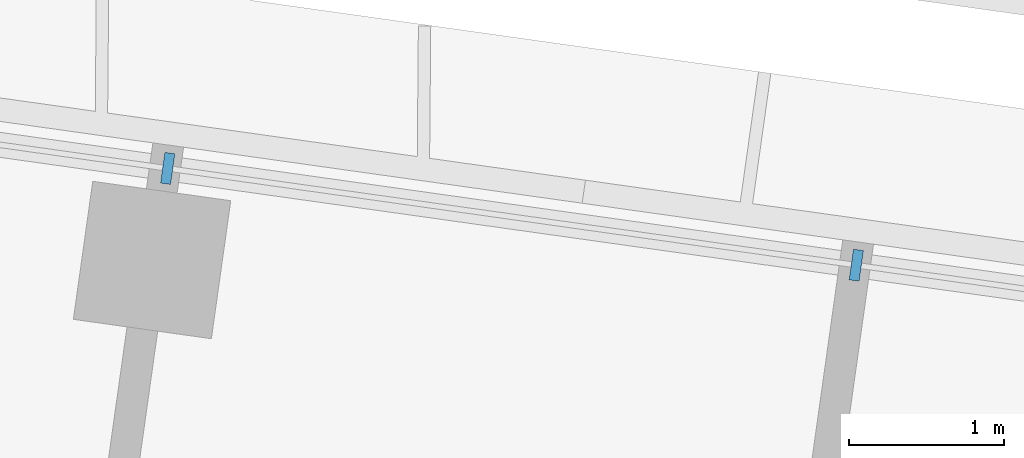
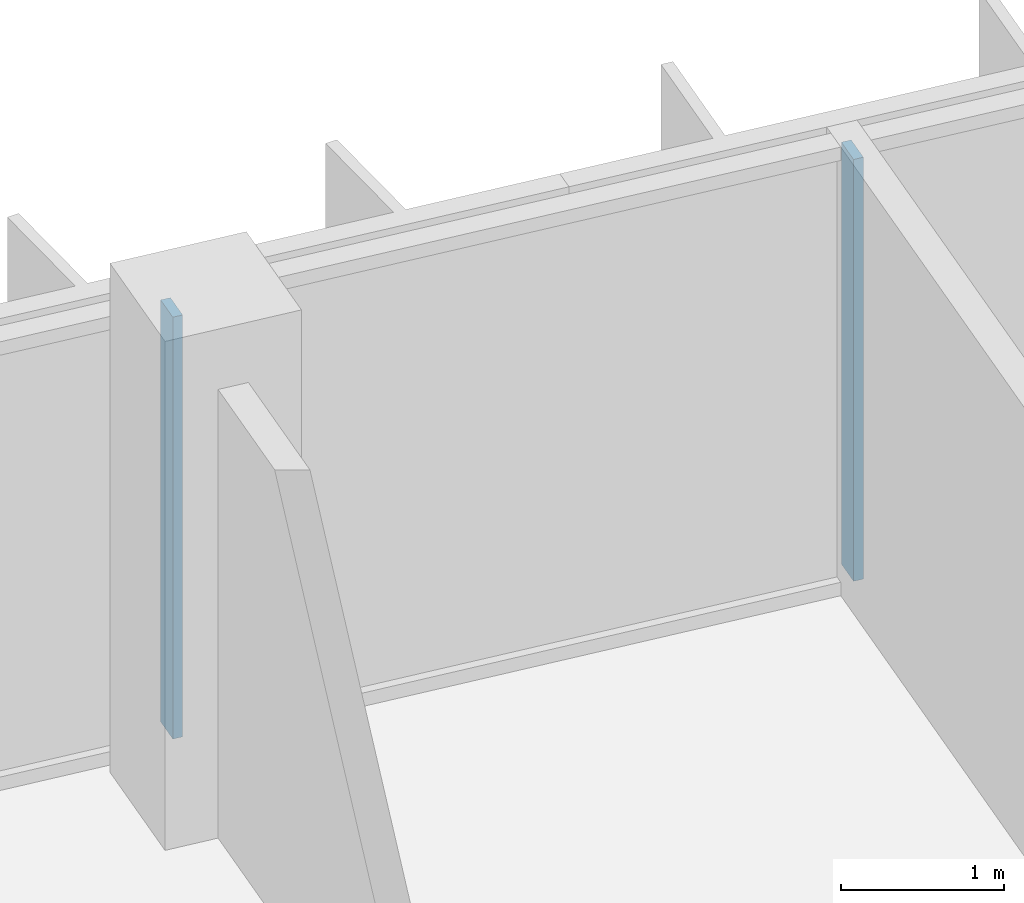
# One storey, part 6 of 41: 2 members, 1 element without a shape of its own.
"""IFC4 building model written with IfcOpenShell, lengths in metres."""

from ifc_helpers import new_model, si_unit, direction, frame, origin, origin_2d, place, context, subcontext, project, spatial, rectangle, extrude, material, material_profile, profile_set, type_object, element, aggregate, save


model = new_model("IFC4")

# Units and contexts
model_context = context("Model", 3, precision=1e-05, world=origin(), true_north=direction((0.0, 1.0)))
body_context = subcontext(model_context, "Body", "Model", "MODEL_VIEW")
ifc_project = project(units=[si_unit("LENGTHUNIT", "METRE"), si_unit("AREAUNIT", "SQUARE_METRE"), si_unit("VOLUMEUNIT", "CUBIC_METRE"), si_unit("PLANEANGLEUNIT", "RADIAN"), si_unit("MASSUNIT", "GRAM", prefix="KILO")], contexts=[model_context])

# Site, building, storey
site_placement = place(None, origin())
site = spatial("IfcSite", under=ifc_project, at=site_placement, CompositionType="ELEMENT")
building_placement = place(site_placement, origin())
building = spatial("IfcBuilding", under=site, at=building_placement, Name="Mirante Cascada Hotel Towers", CompositionType="ELEMENT")
storey_placement = place(building_placement, frame((0.0, 0.0, 125.3)))
storey = spatial("IfcBuildingStorey", under=building, at=storey_placement, Name="L28", CompositionType="ELEMENT", Elevation=125.3)

# Curtain wall, members
ifc_material_1 = material(Name="Aluminium mullion and transom frame with clear laminated glass", Category="aluminium")
curtain_wall_type = type_object("IfcCurtainWallType", Name="Ribbon curtain wall ECW1", PredefinedType="NOTDEFINED", material=ifc_material_1)
curtain_wall_placement = place(storey_placement, origin())
curtain_wall = element("IfcCurtainWall", 1, at=curtain_wall_placement, inside=storey, type_object=curtain_wall_type, Name="Front ribbon wall T1 L28", PredefinedType="NOTDEFINED")
ifc_material_2 = material(Name="Anodised aluminium extrusion", Category="aluminium")
ifc_material_profile = material_profile(ifc_material_2, rectangle(XDim=0.2, YDim=0.065, at=origin_2d()), Name="ECW1 MULLION 65x200")
ifc_profile_set = profile_set([ifc_material_profile], Name="Anodised aluminium extrusion")
member_type = type_object("IfcMemberType", Name="ECW1 mullion 65x200", PredefinedType="MULLION", material=ifc_profile_set)
member_1_placement = place(storey_placement, frame((-71.9211, 22.9269, 0.1), z_axis=(0.0, 0.0, 1.0), x_axis=(0.1391731, 0.9902681, 0.0)))
member_1 = element("IfcMember", 2, at=member_1_placement, type_object=member_type, Name="ECW1 mullion 6", PredefinedType="MULLION", context=body_context, shape_type="SweptSolid", body=[
    extrude(rectangle(XDim=0.2, YDim=0.065, at=origin_2d()), origin(), (0.0, 0.0, 1.0), 3.15),
])
member_2_placement = place(storey_placement, frame((-67.4737, 22.3018, 0.1), z_axis=(0.0, 0.0, 1.0), x_axis=(0.1391731, 0.9902681, 0.0)))
member_2 = element("IfcMember", 3, at=member_2_placement, type_object=member_type, Name="ECW1 mullion 7", PredefinedType="MULLION", context=body_context, shape_type="SweptSolid", body=[
    extrude(rectangle(XDim=0.2, YDim=0.065, at=origin_2d()), origin(), (0.0, 0.0, 1.0), 3.15),
])
aggregate(curtain_wall, [member_1, member_2])

save(model, "model.ifc")
